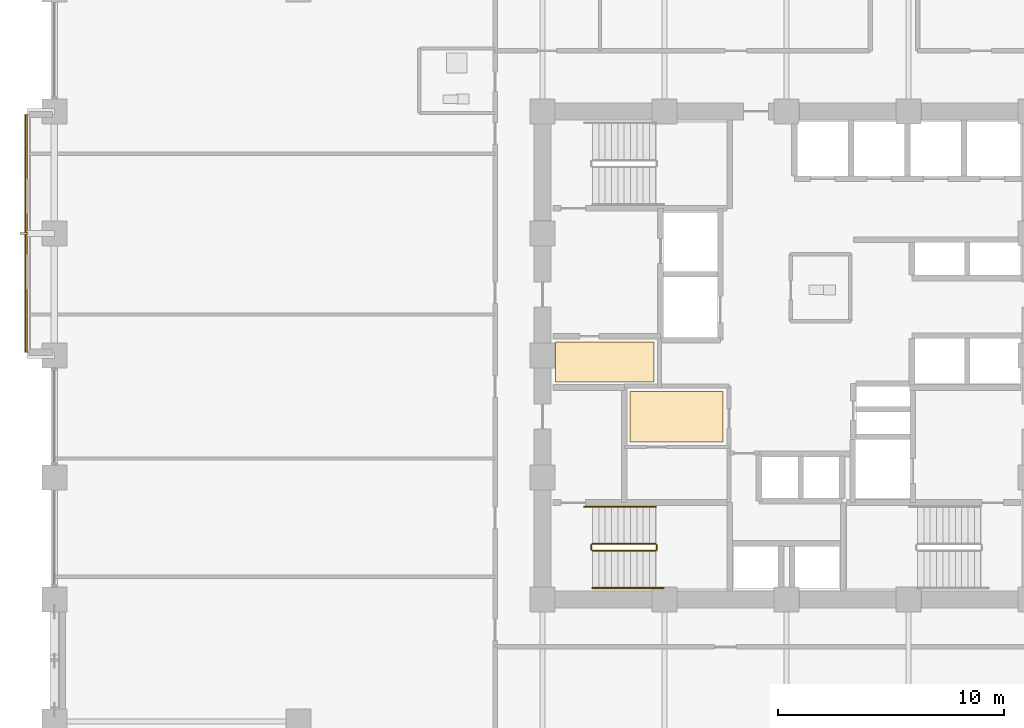
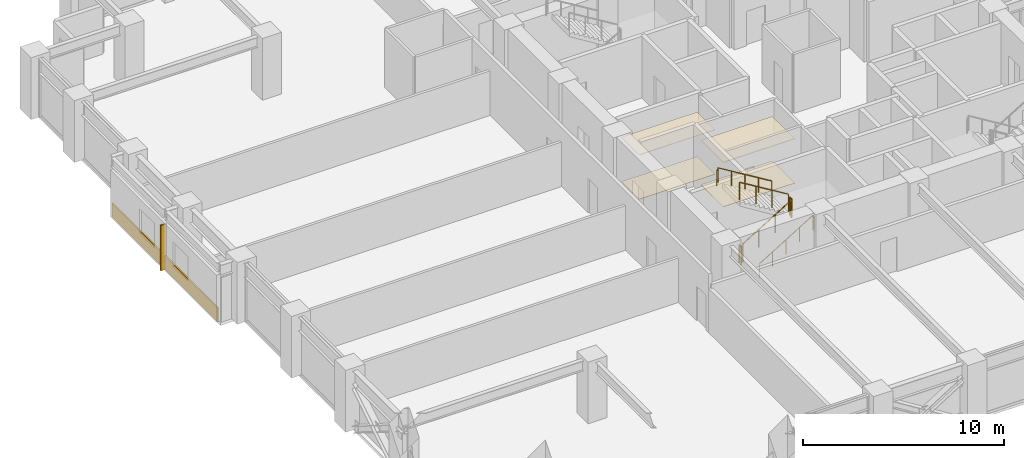
# One storey, part 24 of 26: 6 railings, 5 coverings, 1 shading device.
"""IFC4 building model written with IfcOpenShell, lengths in metres."""

from ifc_helpers import new_model, si_unit, direction, frame, origin, origin_2d, place, context, subcontext, project, spatial, polyline, rectangle, circle, outline, extrude, material, layer, layer_set, type_object, element, save


model = new_model("IFC4")

# Units and contexts
model_context = context("Model", 3, precision=1e-05, world=origin(), true_north=direction((0.0, 1.0)))
body_context = subcontext(model_context, "Body", "Model", "MODEL_VIEW")
ifc_project = project(units=[si_unit("LENGTHUNIT", "METRE"), si_unit("AREAUNIT", "SQUARE_METRE"), si_unit("VOLUMEUNIT", "CUBIC_METRE"), si_unit("PLANEANGLEUNIT", "RADIAN"), si_unit("MASSUNIT", "GRAM", prefix="KILO")], contexts=[model_context])

# Site, building, storey
site_placement = place(None, origin())
site = spatial("IfcSite", under=ifc_project, at=site_placement, CompositionType="ELEMENT")
building_placement = place(site_placement, origin())
building = spatial("IfcBuilding", under=site, at=building_placement, Name="Surkhivell Harbour Commons", CompositionType="ELEMENT")
storey_placement = place(building_placement, frame((0.0, 0.0, 102.0)))
storey = spatial("IfcBuildingStorey", under=building, at=storey_placement, Name="L26", CompositionType="ELEMENT", Elevation=102.0)

# Coverings
ifc_material_1 = material(Name="Perforated acoustic mineral-fibre ceiling tile", Category="other")
ifc_layer_1 = layer(ifc_material_1, 0.02490234375)
ifc_layer_set_1 = layer_set([ifc_layer_1], Name="Perforated acoustic mineral-fibre ceiling tile")
covering_type_1 = type_object("IfcCoveringType", Name="COV-CEIL-AC", PredefinedType="CEILING", material=ifc_layer_set_1)
covering_1_placement = place(storey_placement, frame((0.0, 0.0, 2.694091796875)))
element("IfcCovering", 1, at=covering_1_placement, inside=storey, type_object=covering_type_1, Name="L26 Suspended Acoustic Ceiling 1", PredefinedType="CEILING", context=body_context, shape_type="SweptSolid", body=[
    extrude(outline(polyline([(-10.219970703125, -1.179931640625), (-5.8701171875, -1.179931640625), (-5.8701171875, 0.60009765625), (-10.219970703125, 0.60009765625), (-10.219970703125, 0.580078125), (-10.219970703125, -0.580078125), (-10.219970703125, -1.179931640625)])), origin(), (0.0, 0.0, 1.0), 0.02490234375),
])
ifc_material_2 = material(Name="Moisture-resistant gypsum acoustic ceiling board", Category="other")
ifc_layer_2 = layer(ifc_material_2, 0.030029296875)
ifc_layer_set_2 = layer_set([ifc_layer_2], Name="Moisture-resistant gypsum acoustic ceiling board")
covering_type_2 = type_object("IfcCoveringType", Name="COV-CEIL-GYP", PredefinedType="CEILING", material=ifc_layer_set_2)
covering_2_placement = place(storey_placement, frame((0.0, 0.0, 2.68896484375)))
element("IfcCovering", 2, at=covering_2_placement, inside=storey, type_object=covering_type_2, Name="L26 Suspended Acoustic Ceiling 2", PredefinedType="CEILING", context=body_context, shape_type="SweptSolid", body=[
    extrude(outline(polyline([(-6.929931640625, -3.830078125), (-2.820068359375, -3.830078125), (-2.820068359375, -1.60009765625), (-6.929931640625, -1.60009765625), (-6.929931640625, -3.830078125)])), origin(), (0.0, 0.0, 1.0), 0.030029296875),
])
ifc_material_3 = material(Name="Saffron-gold enamelled aluminium cassette panel", Category="aluminium")
ifc_layer_3 = layer(ifc_material_3, 0.070068359375)
ifc_layer_set_3 = layer_set([ifc_layer_3], Name="Saffron-gold enamelled aluminium cassette panel")
covering_type_3 = type_object("IfcCoveringType", Name="COV-CLAD-SAF", PredefinedType="CLADDING", material=ifc_layer_set_3)
covering_3_placement = place(storey_placement, frame((-33.639892578125, 5.39990234375, 0.0), z_axis=(0.0, 0.0, 1.0), x_axis=(1.0, 0.0, 0.0)))
element("IfcCovering", 3, at=covering_3_placement, inside=storey, type_object=covering_type_3, Name="L26 Coloured-Panel Box Spandrel Cassette 02", PredefinedType="CLADDING", context=body_context, shape_type="SweptSolid", body=[
    extrude(rectangle(XDim=0.080078125, YDim=10.5, at=origin_2d()), origin(), (0.0, 0.0, 1.0), 0.840087890625),
])
ifc_material_4 = material(Name="Engineered acoustic oak timber flooring", Category="wood")
ifc_layer_4 = layer(ifc_material_4, 0.02001953125)
ifc_layer_set_4 = layer_set([ifc_layer_4], Name="Engineered acoustic oak timber flooring")
covering_type_4 = type_object("IfcCoveringType", Name="COV-FLR-TIM", PredefinedType="FLOORING", material=ifc_layer_set_4)
covering_4_placement = place(storey_placement, origin())
element("IfcCovering", 4, at=covering_4_placement, inside=storey, type_object=covering_type_4, Name="L26 Interior Floor Finish 1", PredefinedType="FLOORING", context=body_context, shape_type="SweptSolid", body=[
    extrude(outline(polyline([(-10.219970703125, -1.179931640625), (-5.8701171875, -1.179931640625), (-5.8701171875, 0.60009765625), (-10.219970703125, 0.60009765625), (-10.219970703125, 0.580078125), (-10.219970703125, -0.580078125), (-10.219970703125, -1.179931640625)])), origin(), (0.0, 0.0, 1.0), 0.02001953125),
])
covering_5_placement = place(storey_placement, origin())
element("IfcCovering", 5, at=covering_5_placement, inside=storey, type_object=covering_type_4, Name="L26 Interior Floor Finish 2", PredefinedType="FLOORING", context=body_context, shape_type="SweptSolid", body=[
    extrude(outline(polyline([(-6.929931640625, -3.830078125), (-2.820068359375, -3.830078125), (-2.820068359375, -1.60009765625), (-6.929931640625, -1.60009765625), (-6.929931640625, -3.830078125)])), origin(), (0.0, 0.0, 1.0), 0.02001953125),
])

# Railings
ifc_material_5 = material(Name="Galvanised and painted steel S355 guard rail", Category="steel")
railing_type_1 = type_object("IfcRailingType", Name="RAL-ST-GRD1100", PredefinedType="GUARDRAIL", material=ifc_material_5)
railing_1_placement = place(storey_placement, frame((-8.590087890625, -8.639892578125, 0.17041015625)))
element("IfcRailing", 6, at=railing_1_placement, inside=storey, type_object=railing_type_1, Name="L26 ST3 stair guard 1", PredefinedType="GUARDRAIL", context=body_context, shape_type="SweptSolid", body=[
    extrude(circle(Radius=0.02392578125, at=origin_2d()), frame((0.0, 0.0, 1.076171875), z_axis=(0.854169791009, 0.0, 0.51999420009), x_axis=(0.0, 1.0, 0.0)), (0.0, 0.0, 1.0), 3.278076171875),
    extrude(circle(Radius=0.02099609375, at=origin_2d()), origin(), (0.0, 0.0, 1.0), 1.052001953125),
    extrude(circle(Radius=0.02099609375, at=origin_2d()), frame((0.933349609375, 0.0, 0.568115234375)), (0.0, 0.0, 1.0), 1.052001953125),
    extrude(circle(Radius=0.02099609375, at=origin_2d()), frame((1.86669921875, 0.0, 1.136474609375)), (0.0, 0.0, 1.0), 1.052001953125),
    extrude(circle(Radius=0.02099609375, at=origin_2d()), frame((2.800048828125, 0.0, 1.70458984375)), (0.0, 0.0, 1.0), 1.052001953125),
])
railing_2_placement = place(storey_placement, frame((-5.739990234375, -8.590087890625, 1.875)))
element("IfcRailing", 7, at=railing_2_placement, inside=storey, type_object=railing_type_1, Name="L26 ST3 stair guard 2", PredefinedType="GUARDRAIL", context=body_context, shape_type="SweptSolid", body=[
    extrude(circle(Radius=0.02392578125, at=origin_2d()), frame((0.0, 0.0, 1.076171875), z_axis=(0.0, 1.0, 0.0), x_axis=(-1.0, 0.0, 0.0)), (0.0, 0.0, 1.0), 0.2001953125),
    extrude(circle(Radius=0.02099609375, at=origin_2d()), origin(), (0.0, 0.0, 1.0), 1.052001953125),
    extrude(circle(Radius=0.02099609375, at=origin_2d()), frame((0.0, 0.2001953125, 0.0)), (0.0, 0.0, 1.0), 1.052001953125),
])
railing_3_placement = place(storey_placement, frame((-5.7900390625, -8.340087890625, 2.04541015625)))
element("IfcRailing", 8, at=railing_3_placement, inside=storey, type_object=railing_type_1, Name="L26 ST3 stair guard 3", PredefinedType="GUARDRAIL", context=body_context, shape_type="SweptSolid", body=[
    extrude(circle(Radius=0.02392578125, at=origin_2d()), frame((0.0, 0.0, 1.076171875), z_axis=(-0.854169791009, 0.0, 0.51999420009), x_axis=(0.0, -1.0, 0.0)), (0.0, 0.0, 1.0), 3.278076171875),
    extrude(circle(Radius=0.02099609375, at=origin_2d()), origin(), (0.0, 0.0, 1.0), 1.052001953125),
    extrude(circle(Radius=0.02099609375, at=origin_2d()), frame((-0.933349609375, 0.0, 0.568115234375)), (0.0, 0.0, 1.0), 1.052001953125),
    extrude(circle(Radius=0.02099609375, at=origin_2d()), frame((-1.86669921875, 0.0, 1.136474609375)), (0.0, 0.0, 1.0), 1.052001953125),
    extrude(circle(Radius=0.02099609375, at=origin_2d()), frame((-2.800048828125, 0.0, 1.70458984375)), (0.0, 0.0, 1.0), 1.052001953125),
])
railing_4_placement = place(storey_placement, frame((-8.639892578125, -8.590087890625, 0.0)))
element("IfcRailing", 9, at=railing_4_placement, inside=storey, type_object=railing_type_1, Name="L26 ST3 stair guard 4", PredefinedType="GUARDRAIL", context=body_context, shape_type="SweptSolid", body=[
    extrude(circle(Radius=0.02392578125, at=origin_2d()), frame((0.0, 0.0, 1.076171875), z_axis=(0.0, 1.0, 0.0), x_axis=(-1.0, 0.0, 0.0)), (0.0, 0.0, 1.0), 0.2001953125),
    extrude(circle(Radius=0.02099609375, at=origin_2d()), origin(), (0.0, 0.0, 1.0), 1.052001953125),
    extrude(circle(Radius=0.02099609375, at=origin_2d()), frame((0.0, 0.2001953125, 0.0)), (0.0, 0.0, 1.0), 1.052001953125),
])
ifc_material_6 = material(Name="Brushed stainless steel S355 handrail", Category="steel")
railing_type_2 = type_object("IfcRailingType", Name="RAL-ST-HND900", PredefinedType="HANDRAIL", material=ifc_material_6)
railing_5_placement = place(storey_placement, frame((-8.590087890625, -10.2900390625, 0.17041015625)))
element("IfcRailing", 10, at=railing_5_placement, inside=storey, type_object=railing_type_2, Name="L26 ST3 stair handrail 1", PredefinedType="HANDRAIL", context=body_context, shape_type="SweptSolid", body=[
    extrude(circle(Radius=0.02392578125, at=origin_2d()), frame((0.0, 0.0, 0.8759765625), z_axis=(0.854177636135, 0.0, 0.519981313056), x_axis=(0.0, 1.0, 0.0)), (0.0, 0.0, 1.0), 3.60595703125),
    extrude(circle(Radius=0.02392578125, at=origin_2d()), frame((3.080078125, 0.0, 2.7509765625), z_axis=(0.425297416671, 0.0, -0.905053648892), x_axis=(0.0, 1.0, 0.0)), (0.0, 0.0, 1.0), 0.188232421875),
    extrude(circle(Radius=0.02099609375, at=origin_2d()), origin(), (0.0, 0.0, 1.0), 0.851806640625),
    extrude(circle(Radius=0.02099609375, at=origin_2d()), frame((0.77001953125, 0.0, 0.46875)), (0.0, 0.0, 1.0), 0.851806640625),
    extrude(circle(Radius=0.02099609375, at=origin_2d()), frame((1.5400390625, 0.0, 0.9375)), (0.0, 0.0, 1.0), 0.851806640625),
    extrude(circle(Radius=0.02099609375, at=origin_2d()), frame((2.31005859375, 0.0, 1.40625)), (0.0, 0.0, 1.0), 0.851806640625),
    extrude(circle(Radius=0.02099609375, at=origin_2d()), frame((3.080078125, 0.0, 1.875)), (0.0, 0.0, 1.0), 0.851806640625),
    extrude(circle(Radius=0.02099609375, at=origin_2d()), frame((3.16015625, 0.0, 1.70458984375)), (0.0, 0.0, 1.0), 0.851806640625),
])
railing_6_placement = place(storey_placement, frame((-5.7900390625, -6.68994140625, 2.04541015625)))
element("IfcRailing", 11, at=railing_6_placement, inside=storey, type_object=railing_type_2, Name="L26 ST3 stair handrail 2", PredefinedType="HANDRAIL", context=body_context, shape_type="SweptSolid", body=[
    extrude(circle(Radius=0.02392578125, at=origin_2d()), frame((0.0, 0.0, 0.8759765625), z_axis=(-0.854177636135, 0.0, 0.519981313056), x_axis=(0.0, -1.0, 0.0)), (0.0, 0.0, 1.0), 3.60595703125),
    extrude(circle(Radius=0.02392578125, at=origin_2d()), frame((-3.080078125, 0.0, 2.7509765625), z_axis=(-0.424234432967, 0.0, -0.905552398199), x_axis=(0.0, -1.0, 0.0)), (0.0, 0.0, 1.0), 0.188232421875),
    extrude(circle(Radius=0.02099609375, at=origin_2d()), origin(), (0.0, 0.0, 1.0), 0.851806640625),
    extrude(circle(Radius=0.02099609375, at=origin_2d()), frame((-0.77001953125, 0.0, 0.46875)), (0.0, 0.0, 1.0), 0.851806640625),
    extrude(circle(Radius=0.02099609375, at=origin_2d()), frame((-1.5400390625, 0.0, 0.9375)), (0.0, 0.0, 1.0), 0.851806640625),
    extrude(circle(Radius=0.02099609375, at=origin_2d()), frame((-2.31005859375, 0.0, 1.40625)), (0.0, 0.0, 1.0), 0.851806640625),
    extrude(circle(Radius=0.02099609375, at=origin_2d()), frame((-3.080078125, 0.0, 1.875)), (0.0, 0.0, 1.0), 0.851806640625),
    extrude(circle(Radius=0.02099609375, at=origin_2d()), frame((-3.159912109375, 0.0, 1.70458984375)), (0.0, 0.0, 1.0), 0.851806640625),
])

# Shading device
ifc_material_7 = material(Name="Anodised pale-metal aluminium solar fin", Category="aluminium")
shading_device_type = type_object("IfcShadingDeviceType", Name="SHD-FIN-VERT", PredefinedType="USERDEFINED", material=ifc_material_7)
shading_device_placement = place(storey_placement, frame((-33.739990234375, 5.39990234375, 0.0048828125), z_axis=(0.0, 0.0, 1.0), x_axis=(1.0, 0.0, 0.0)))
element("IfcShadingDevice", 12, at=shading_device_placement, inside=storey, type_object=shading_device_type, Name="L26 Coloured-Box Solar Fin 02", ObjectType="FIN", PredefinedType="USERDEFINED", context=body_context, shape_type="SweptSolid", body=[
    extrude(rectangle(XDim=0.360107421875, YDim=0.090087890625, at=origin_2d()), origin(), (0.0, 0.0, 1.0), 2.75),
])

save(model, "model.ifc")
